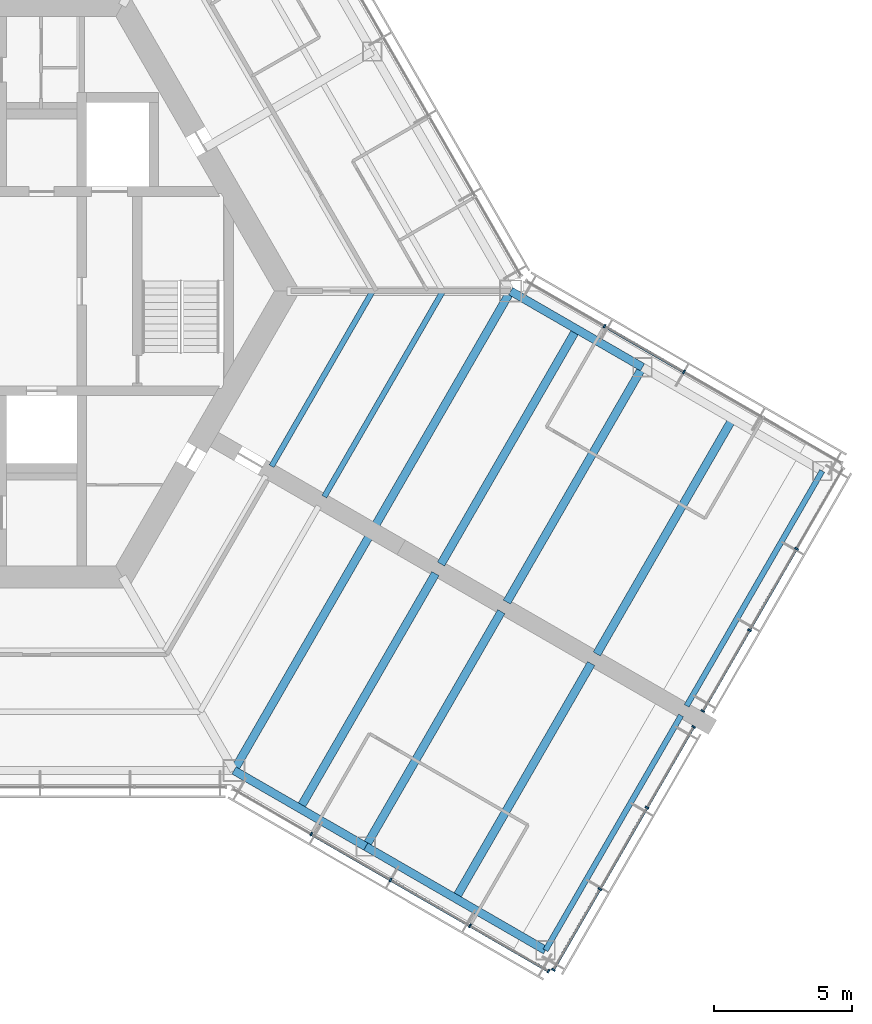
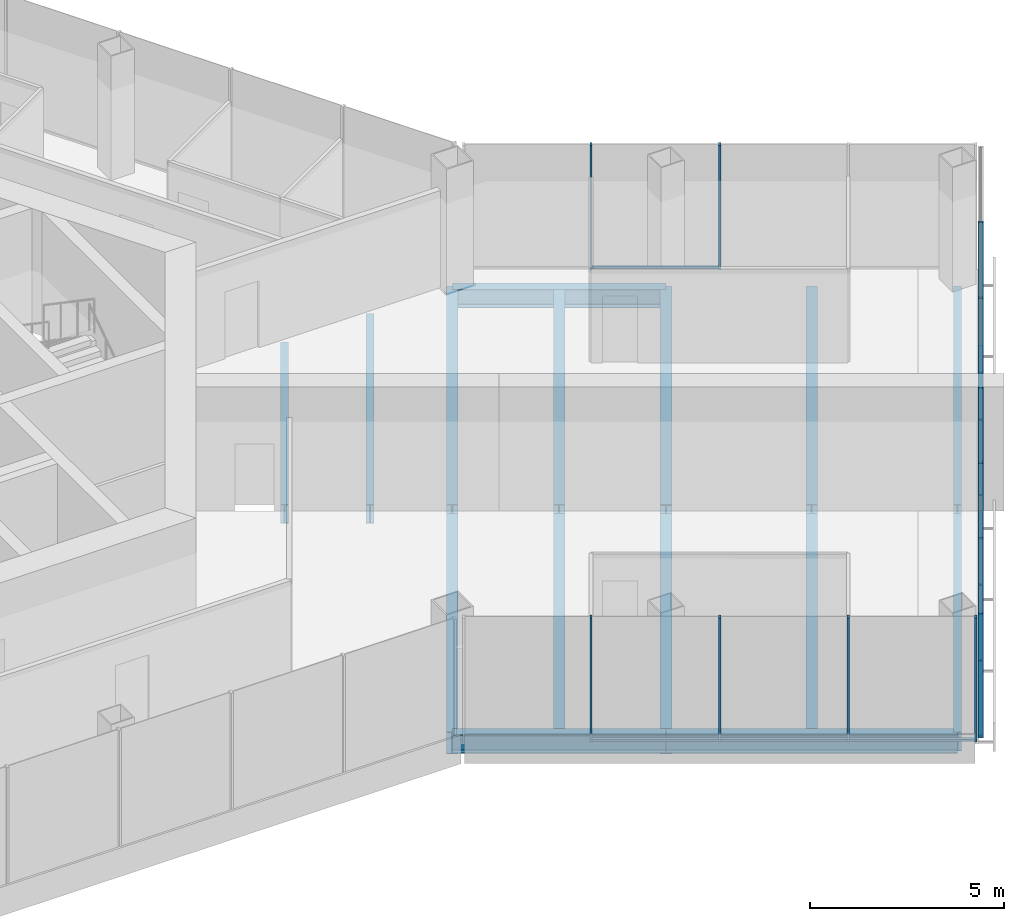
# One storey, part 4 of 14: 22 members, 15 beams, 4 elements without a shape of their own.
"""IFC4 building model written with IfcOpenShell, lengths in metres."""

from ifc_helpers import new_model, si_unit, direction, frame, origin, origin_2d, place, context, subcontext, project, spatial, rectangle, i_section, extrude, material, material_profile, profile_set, type_object, element, aggregate, save


model = new_model("IFC4")

# Units and contexts
model_context = context("Model", 3, precision=1e-05, world=origin(), true_north=direction((0.0, 1.0)))
body_context = subcontext(model_context, "Body", "Model", "MODEL_VIEW")
ifc_project = project(units=[si_unit("LENGTHUNIT", "METRE"), si_unit("AREAUNIT", "SQUARE_METRE"), si_unit("VOLUMEUNIT", "CUBIC_METRE"), si_unit("PLANEANGLEUNIT", "RADIAN"), si_unit("MASSUNIT", "GRAM", prefix="KILO")], contexts=[model_context])

# Site, building, storey
site_placement = place(None, origin())
site = spatial("IfcSite", under=ifc_project, at=site_placement, CompositionType="ELEMENT")
building_placement = place(site_placement, origin())
building = spatial("IfcBuilding", under=site, at=building_placement, Name="Kasaneha Research Tower", CompositionType="ELEMENT")
storey_placement = place(building_placement, frame((0.0, 0.0, 216.699951171875)))
storey = spatial("IfcBuildingStorey", under=building, at=storey_placement, Name="L54", CompositionType="ELEMENT", Elevation=216.699951171875)

# Beams
ifc_material_1 = material(Name="Steel SN490B", Category="steel")
ifc_material_profile_1 = material_profile(ifc_material_1, i_section(OverallWidth=0.199951171875, OverallDepth=0.60009765625, WebThickness=0.010986328125, FlangeThickness=0.01708984375, FilletRadius=0.012939453125, at=origin_2d()), Name="H-600x200x11x17")
ifc_profile_set_1 = profile_set([ifc_material_profile_1], Name="Steel SN490B")
beam_type_1 = type_object("IfcBeamType", Name="B1-3 secondary beam H-600x200x11x17", PredefinedType="JOIST", material=ifc_profile_set_1)
beam_1_placement = place(storey_placement, frame((15.010986328125, 0.0, -0.449951171875), z_axis=(-0.499974128195, -0.866040340363, 0.0), x_axis=(0.866040340363, -0.499974128195, 0.0)))
element("IfcBeam", 1, at=beam_1_placement, inside=storey, type_object=beam_type_1, Name="Secondary beam RS330R1 L54", PredefinedType="JOIST", context=body_context, shape_type="SweptSolid", body=[
    extrude(i_section(OverallWidth=0.199951171875, OverallDepth=0.60009765625, WebThickness=0.010986328125, FlangeThickness=0.01708984375, FilletRadius=0.012939453125, at=origin_2d()), origin(), (0.0, 0.0, 1.0), 7.3056640625),
])
beam_2_placement = place(storey_placement, frame((17.551513671875, 0.0, -0.449951171875), z_axis=(-0.500000102728, -0.866025344474, 0.0), x_axis=(0.866025344474, -0.500000102728, 0.0)))
element("IfcBeam", 2, at=beam_2_placement, inside=storey, type_object=beam_type_1, Name="Secondary beam RS330R2 L54", PredefinedType="JOIST", context=body_context, shape_type="SweptSolid", body=[
    extrude(i_section(OverallWidth=0.199951171875, OverallDepth=0.60009765625, WebThickness=0.010986328125, FlangeThickness=0.01708984375, FilletRadius=0.012939453125, at=origin_2d()), origin(), (0.0, 0.0, 1.0), 8.57568359375),
])
ifc_material_2 = material(Name="Steel SN490B", Category="steel")
ifc_material_profile_2 = material_profile(ifc_material_2, i_section(OverallWidth=0.300048828125, OverallDepth=0.58203125, WebThickness=0.011962890625, FlangeThickness=0.01708984375, FilletRadius=0.012939453125, at=origin_2d()), Name="H-582x300x12x17")
ifc_profile_set_2 = profile_set([ifc_material_profile_2], Name="Steel SN490B")
beam_type_2 = type_object("IfcBeamType", Name="B2-3 secondary beam H-582x300x12x17", PredefinedType="JOIST", material=ifc_profile_set_2)
for number, where, z_axis, x_axis, name in (
    (3, (12.381591796875, -18.695556640625, -0.44091796875), (0.49999201416, 0.866030014362, 0.0), (-0.866030014362, 0.49999201416, 0.0), "Secondary beam WBCP1 L54"),
    (4, (18.0107421875, -21.945556640625, -0.44091796875), (0.49999201416, 0.866030014362, 0.0), (-0.866030014362, 0.49999201416, 0.0), "Secondary beam WBCP2 L54"),
    (5, (22.381591796875, -1.375, -0.44091796875), (-0.49999201416, -0.866030014362, 0.0), (0.866030014362, -0.49999201416, 0.0), "Secondary beam WBCN1 L54"),
    (6, (28.0107421875, -4.625, -0.44091796875), (-0.49999201416, -0.866030014362, 0.0), (0.866030014362, -0.49999201416, 0.0), "Secondary beam WBCN2 L54"),
):
    element("IfcBeam", number, at=place(storey_placement, frame(where, z_axis=z_axis, x_axis=x_axis)), inside=storey, type_object=beam_type_2, Name=name, PredefinedType="JOIST", context=body_context, shape_type="SweptSolid", body=[
        extrude(i_section(OverallWidth=0.300048828125, OverallDepth=0.58203125, WebThickness=0.011962890625, FlangeThickness=0.01708984375, FilletRadius=0.012939453125, at=origin_2d()), origin(), (0.0, 0.0, 1.0), 9.800048828125),
    ])

# Curtain wall, members
ifc_material_3 = material(Name="Glass and aluminium", Category="aluminium")
curtain_wall_type = type_object("IfcCurtainWallType", Name="High-rise office curtain wall", PredefinedType="USERDEFINED", material=ifc_material_3)
curtain_wall_1_placement = place(storey_placement, origin())
curtain_wall_1 = element("IfcCurtainWall", 7, at=curtain_wall_1_placement, inside=storey, type_object=curtain_wall_type, Name="CW-O3 L54 run 06a", ObjectType="UNITISED CURTAIN WALL", PredefinedType="USERDEFINED")
ifc_material_4 = material(Name="Aluminium 6063-T6", Category="aluminium")
ifc_material_profile_3 = material_profile(ifc_material_4, rectangle(XDim=0.06005859375, YDim=0.139892578125, at=origin_2d()), Name="CW-O3 mullion 60x140")
ifc_profile_set_3 = profile_set([ifc_material_profile_3], Name="Aluminium 6063-T6")
member_type_1 = type_object("IfcMemberType", Name="CW-O3 mullion", PredefinedType="MULLION", material=ifc_profile_set_3)
member_1_placement = place(storey_placement, frame((12.792236328125, -19.62548828125, 0.0), z_axis=(0.0, 0.0, 1.0), x_axis=(0.866025411464, -0.499999986699, 0.0)))
member_1 = element("IfcMember", 8, at=member_1_placement, type_object=member_type_1, Name="CW-O3 mullion 2", PredefinedType="MULLION", context=body_context, shape_type="SweptSolid", body=[
    extrude(rectangle(XDim=0.06005859375, YDim=0.139892578125, at=origin_2d()), origin(), (0.0, 0.0, 1.0), 3.900146484375),
])
member_2_placement = place(storey_placement, frame((15.65869140625, -21.2802734375, 0.0), z_axis=(0.0, 0.0, 1.0), x_axis=(0.866025411464, -0.499999986699, 0.0)))
member_2 = element("IfcMember", 9, at=member_2_placement, type_object=member_type_1, Name="CW-O3 mullion 3", PredefinedType="MULLION", context=body_context, shape_type="SweptSolid", body=[
    extrude(rectangle(XDim=0.06005859375, YDim=0.139892578125, at=origin_2d()), origin(), (0.0, 0.0, 1.0), 3.900146484375),
])
member_3_placement = place(storey_placement, frame((18.52490234375, -22.935302734375, 0.0), z_axis=(0.0, 0.0, 1.0), x_axis=(0.866025411464, -0.499999986699, 0.0)))
member_3 = element("IfcMember", 10, at=member_3_placement, type_object=member_type_1, Name="CW-O3 mullion 4", PredefinedType="MULLION", context=body_context, shape_type="SweptSolid", body=[
    extrude(rectangle(XDim=0.06005859375, YDim=0.139892578125, at=origin_2d()), origin(), (0.0, 0.0, 1.0), 3.900146484375),
])
member_4_placement = place(storey_placement, frame((21.365478515625, -24.5751953125, 0.0), z_axis=(0.0, 0.0, 1.0), x_axis=(0.866025411464, -0.499999986699, 0.0)))
member_4 = element("IfcMember", 11, at=member_4_placement, type_object=member_type_1, Name="CW-O3 mullion 5", PredefinedType="MULLION", context=body_context, shape_type="SweptSolid", body=[
    extrude(rectangle(XDim=0.06005859375, YDim=0.139892578125, at=origin_2d()), origin(), (0.0, 0.0, 1.0), 3.900146484375),
])

curtain_wall_2_placement = place(storey_placement, origin())
curtain_wall_2 = element("IfcCurtainWall", 12, at=curtain_wall_2_placement, inside=storey, type_object=curtain_wall_type, Name="CW-O3 L54 run 07a", ObjectType="UNITISED CURTAIN WALL", PredefinedType="USERDEFINED")
member_5_placement = place(storey_placement, frame((21.54296875, -24.527587890625, 0.0), z_axis=(0.0, 0.0, 1.0), x_axis=(0.500000011442, 0.866025397178, 0.0)))
member_5 = element("IfcMember", 13, at=member_5_placement, type_object=member_type_1, Name="CW-O3 mullion 1", PredefinedType="MULLION", context=body_context, shape_type="SweptSolid", body=[
    extrude(rectangle(XDim=0.06005859375, YDim=0.139892578125, at=origin_2d()), origin(), (0.0, 0.0, 1.0), 3.900146484375),
])
member_6_placement = place(storey_placement, frame((23.22802734375, -21.609130859375, 0.0), z_axis=(0.0, 0.0, 1.0), x_axis=(0.500000011442, 0.866025397178, 0.0)))
member_6 = element("IfcMember", 14, at=member_6_placement, type_object=member_type_1, Name="CW-O3 mullion 2", PredefinedType="MULLION", context=body_context, shape_type="SweptSolid", body=[
    extrude(rectangle(XDim=0.06005859375, YDim=0.139892578125, at=origin_2d()), origin(), (0.0, 0.0, 1.0), 3.900146484375),
])
member_7_placement = place(storey_placement, frame((24.927978515625, -18.66455078125, 0.0), z_axis=(0.0, 0.0, 1.0), x_axis=(0.500000011442, 0.866025397178, 0.0)))
member_7 = element("IfcMember", 15, at=member_7_placement, type_object=member_type_1, Name="CW-O3 mullion 3", PredefinedType="MULLION", context=body_context, shape_type="SweptSolid", body=[
    extrude(rectangle(XDim=0.06005859375, YDim=0.139892578125, at=origin_2d()), origin(), (0.0, 0.0, 1.0), 3.900146484375),
])
member_8_placement = place(storey_placement, frame((26.613037109375, -15.74609375, 0.0), z_axis=(0.0, 0.0, 1.0), x_axis=(0.500000011442, 0.866025397178, 0.0)))
member_8 = element("IfcMember", 16, at=member_8_placement, type_object=member_type_1, Name="CW-O3 mullion 4", PredefinedType="MULLION", context=body_context, shape_type="SweptSolid", body=[
    extrude(rectangle(XDim=0.06005859375, YDim=0.139892578125, at=origin_2d()), origin(), (0.0, 0.0, 1.0), 3.900146484375),
])

curtain_wall_3_placement = place(storey_placement, origin())
curtain_wall_3 = element("IfcCurtainWall", 17, at=curtain_wall_3_placement, inside=storey, type_object=curtain_wall_type, Name="CW-O3 L54 run 08a", ObjectType="UNITISED CURTAIN WALL", PredefinedType="USERDEFINED")
member_9_placement = place(storey_placement, frame((26.94287109375, -15.174560546875, 0.0), z_axis=(0.0, 0.0, 1.0), x_axis=(0.500000011442, 0.866025397178, 0.0)))
member_9 = element("IfcMember", 18, at=member_9_placement, type_object=member_type_1, Name="CW-O3 mullion 1", PredefinedType="MULLION", context=body_context, shape_type="SweptSolid", body=[
    extrude(rectangle(XDim=0.06005859375, YDim=0.139892578125, at=origin_2d()), origin(), (0.0, 0.0, 1.0), 3.900146484375),
])
member_10_placement = place(storey_placement, frame((28.6279296875, -12.255859375, 0.0), z_axis=(0.0, 0.0, 1.0), x_axis=(0.500000011442, 0.866025397178, 0.0)))
member_10 = element("IfcMember", 19, at=member_10_placement, type_object=member_type_1, Name="CW-O3 mullion 2", PredefinedType="MULLION", context=body_context, shape_type="SweptSolid", body=[
    extrude(rectangle(XDim=0.06005859375, YDim=0.139892578125, at=origin_2d()), origin(), (0.0, 0.0, 1.0), 3.900146484375),
])
member_11_placement = place(storey_placement, frame((30.327880859375, -9.3115234375, 0.0), z_axis=(0.0, 0.0, 1.0), x_axis=(0.500000011442, 0.866025397178, 0.0)))
member_11 = element("IfcMember", 20, at=member_11_placement, type_object=member_type_1, Name="CW-O3 mullion 3", PredefinedType="MULLION", context=body_context, shape_type="SweptSolid", body=[
    extrude(rectangle(XDim=0.06005859375, YDim=0.139892578125, at=origin_2d()), origin(), (0.0, 0.0, 1.0), 3.900146484375),
])

curtain_wall_4_placement = place(storey_placement, origin())
curtain_wall_4 = element("IfcCurtainWall", 21, at=curtain_wall_4_placement, inside=storey, type_object=curtain_wall_type, Name="CW-O3 L54 run 09a", ObjectType="UNITISED CURTAIN WALL", PredefinedType="USERDEFINED")
member_12_placement = place(storey_placement, frame((26.258544921875, -2.920654296875, 0.0), z_axis=(0.0, 0.0, 1.0), x_axis=(-0.866025411464, 0.499999986699, 0.0)))
member_12 = element("IfcMember", 22, at=member_12_placement, type_object=member_type_1, Name="CW-O3 mullion 3", PredefinedType="MULLION", context=body_context, shape_type="SweptSolid", body=[
    extrude(rectangle(XDim=0.06005859375, YDim=0.139892578125, at=origin_2d()), origin(), (0.0, 0.0, 1.0), 3.900146484375),
])
member_13_placement = place(storey_placement, frame((23.39208984375, -1.265625, 0.0), z_axis=(0.0, 0.0, 1.0), x_axis=(-0.866025411464, 0.499999986699, 0.0)))
member_13 = element("IfcMember", 23, at=member_13_placement, type_object=member_type_1, Name="CW-O3 mullion 4", PredefinedType="MULLION", context=body_context, shape_type="SweptSolid", body=[
    extrude(rectangle(XDim=0.06005859375, YDim=0.139892578125, at=origin_2d()), origin(), (0.0, 0.0, 1.0), 3.900146484375),
])

# Member
ifc_material_5 = material(Name="Aluminium 6063-T6", Category="aluminium")
ifc_material_profile_4 = material_profile(ifc_material_5, rectangle(XDim=0.10009765625, YDim=0.06005859375, at=origin_2d()), Name="CW-O3 transom 100x60")
ifc_profile_set_4 = profile_set([ifc_material_profile_4], Name="Aluminium 6063-T6")
member_type_2 = type_object("IfcMemberType", Name="CW-O3 transom", PredefinedType="USERDEFINED", material=ifc_profile_set_4)
member_14_placement = place(storey_placement, frame((12.818115234375, -19.640380859375, 0.030029296875), z_axis=(0.866015446554, -0.500017246033, 0.0), x_axis=(0.500017246033, 0.866015446554, 0.0)))
member_14 = element("IfcMember", 24, at=member_14_placement, type_object=member_type_2, Name="CW-O3 transom 2", ObjectType="TRANSOM", PredefinedType="USERDEFINED", context=body_context, shape_type="SweptSolid", body=[
    extrude(rectangle(XDim=0.10009765625, YDim=0.06005859375, at=origin_2d()), origin(), (0.0, 0.0, 1.0), 3.25),
])

member_15_placement = place(storey_placement, frame((15.6845703125, -21.29541015625, 0.030029296875), z_axis=(0.86604797581, -0.499960902066, 0.0), x_axis=(0.499960902066, 0.86604797581, 0.0)))
member_15 = element("IfcMember", 25, at=member_15_placement, type_object=member_type_2, Name="CW-O3 transom 3", ObjectType="TRANSOM", PredefinedType="USERDEFINED", context=body_context, shape_type="SweptSolid", body=[
    extrude(rectangle(XDim=0.10009765625, YDim=0.06005859375, at=origin_2d()), origin(), (0.0, 0.0, 1.0), 3.249755859375),
])

member_16_placement = place(storey_placement, frame((18.551025390625, -22.9501953125, 0.030029296875), z_axis=(0.866022692473, -0.500004696101, 0.0), x_axis=(0.500004696101, 0.866022692473, 0.0)))
member_16 = element("IfcMember", 26, at=member_16_placement, type_object=member_type_2, Name="CW-O3 transom 4", ObjectType="TRANSOM", PredefinedType="USERDEFINED", context=body_context, shape_type="SweptSolid", body=[
    extrude(rectangle(XDim=0.10009765625, YDim=0.06005859375, at=origin_2d()), origin(), (0.0, 0.0, 1.0), 3.2197265625),
])

aggregate(curtain_wall_1, [member_1, member_2, member_3, member_4, member_14, member_15, member_16])

member_17_placement = place(storey_placement, frame((21.557861328125, -24.50146484375, 0.030029296875), z_axis=(0.500018282537, 0.866014848099, 0.0), x_axis=(-0.866014848099, 0.500018282537, 0.0)))
member_17 = element("IfcMember", 27, at=member_17_placement, type_object=member_type_2, Name="CW-O3 transom 1", ObjectType="TRANSOM", PredefinedType="USERDEFINED", context=body_context, shape_type="SweptSolid", body=[
    extrude(rectangle(XDim=0.10009765625, YDim=0.06005859375, at=origin_2d()), origin(), (0.0, 0.0, 1.0), 3.31005859375),
])

member_18_placement = place(storey_placement, frame((23.242919921875, -21.5830078125, 0.030029296875), z_axis=(0.499975549825, 0.866039519639, 0.0), x_axis=(-0.866039519639, 0.499975549825, 0.0)))
member_18 = element("IfcMember", 28, at=member_18_placement, type_object=member_type_2, Name="CW-O3 transom 2", ObjectType="TRANSOM", PredefinedType="USERDEFINED", context=body_context, shape_type="SweptSolid", body=[
    extrude(rectangle(XDim=0.10009765625, YDim=0.06005859375, at=origin_2d()), origin(), (0.0, 0.0, 1.0), 3.340087890625),
])

member_19_placement = place(storey_placement, frame((24.94287109375, -18.638671875, 0.030029296875), z_axis=(0.49998634449, 0.866033287653, 0.0), x_axis=(-0.866033287653, 0.49998634449, 0.0)))
member_19 = element("IfcMember", 29, at=member_19_placement, type_object=member_type_2, Name="CW-O3 transom 3", ObjectType="TRANSOM", PredefinedType="USERDEFINED", context=body_context, shape_type="SweptSolid", body=[
    extrude(rectangle(XDim=0.10009765625, YDim=0.06005859375, at=origin_2d()), origin(), (0.0, 0.0, 1.0), 3.31005859375),
])

aggregate(curtain_wall_2, [member_5, member_6, member_7, member_8, member_17, member_18, member_19])

member_20_placement = place(storey_placement, frame((26.9580078125, -15.1484375, 0.030029296875), z_axis=(0.500018282537, 0.866014848099, 0.0), x_axis=(-0.866014848099, 0.500018282537, 0.0)))
member_20 = element("IfcMember", 30, at=member_20_placement, type_object=member_type_2, Name="CW-O3 transom 1", ObjectType="TRANSOM", PredefinedType="USERDEFINED", context=body_context, shape_type="SweptSolid", body=[
    extrude(rectangle(XDim=0.10009765625, YDim=0.06005859375, at=origin_2d()), origin(), (0.0, 0.0, 1.0), 3.31005859375),
])

member_21_placement = place(storey_placement, frame((28.64306640625, -12.22998046875, 0.030029296875), z_axis=(0.499975549825, 0.866039519639, 0.0), x_axis=(-0.866039519639, 0.499975549825, 0.0)))
member_21 = element("IfcMember", 31, at=member_21_placement, type_object=member_type_2, Name="CW-O3 transom 2", ObjectType="TRANSOM", PredefinedType="USERDEFINED", context=body_context, shape_type="SweptSolid", body=[
    extrude(rectangle(XDim=0.10009765625, YDim=0.06005859375, at=origin_2d()), origin(), (0.0, 0.0, 1.0), 3.340087890625),
])

aggregate(curtain_wall_3, [member_9, member_10, member_11, member_20, member_21])

member_22_placement = place(storey_placement, frame((26.232666015625, -2.905517578125, 0.030029296875), z_axis=(-0.86604797581, 0.499960902066, 0.0), x_axis=(-0.499960902066, -0.86604797581, 0.0)))
member_22 = element("IfcMember", 32, at=member_22_placement, type_object=member_type_2, Name="CW-O3 transom 3", ObjectType="TRANSOM", PredefinedType="USERDEFINED", context=body_context, shape_type="SweptSolid", body=[
    extrude(rectangle(XDim=0.10009765625, YDim=0.06005859375, at=origin_2d()), origin(), (0.0, 0.0, 1.0), 3.249755859375),
])

aggregate(curtain_wall_4, [member_12, member_13, member_22])

# Beams
ifc_material_6 = material(Name="Steel SN490B", Category="steel")
ifc_material_profile_5 = material_profile(ifc_material_6, i_section(OverallWidth=0.300048828125, OverallDepth=0.69189453125, WebThickness=0.012939453125, FlangeThickness=0.02001953125, FilletRadius=0.01806640625, at=origin_2d()), Name="H-692x300x13x20")
ifc_profile_set_5 = profile_set([ifc_material_profile_5], Name="Steel SN490B")
beam_type_3 = type_object("IfcBeamType", Name="G3-3 plate edge girder H-692x300x13x20", PredefinedType="BEAM", material=ifc_profile_set_5)
for number, where, z_axis, x_axis, name in (
    (33, (10.0, -17.320556640625, -0.495849609375), (0.49999201416, 0.866030014362, 0.0), (-0.866030014362, 0.49999201416, 0.0), "Plate edge girder PECP L54"),
    (34, (20.0, 0.0, -0.495849609375), (-0.49999201416, -0.866030014362, 0.0), (0.866030014362, -0.49999201416, 0.0), "Plate edge girder PECN L54"),
):
    element("IfcBeam", number, at=place(storey_placement, frame(where, z_axis=z_axis, x_axis=x_axis)), inside=storey, type_object=beam_type_3, Name=name, PredefinedType="BEAM", context=body_context, shape_type="SweptSolid", body=[
        extrude(i_section(OverallWidth=0.300048828125, OverallDepth=0.69189453125, WebThickness=0.012939453125, FlangeThickness=0.02001953125, FilletRadius=0.01806640625, at=origin_2d()), origin(), (0.0, 0.0, 1.0), 9.800048828125),
    ])
ifc_material_7 = material(Name="Steel SN490B", Category="steel")
ifc_material_profile_6 = material_profile(ifc_material_7, i_section(OverallWidth=0.300048828125, OverallDepth=0.699951171875, WebThickness=0.012939453125, FlangeThickness=0.02392578125, FilletRadius=0.01806640625, at=origin_2d()), Name="H-700x300x13x24")
ifc_profile_set_6 = profile_set([ifc_material_profile_6], Name="Steel SN490B")
beam_type_4 = type_object("IfcBeamType", Name="G4-3 wing girder H-700x300x13x24", PredefinedType="BEAM", material=ifc_profile_set_6)
for number, where, z_axis, x_axis, name in (
    (35, (14.76318359375, -20.070556640625, -0.5), (0.49999201416, 0.866030014362, 0.0), (-0.866030014362, 0.49999201416, 0.0), "Wing girder WGCP L54"),
    (36, (24.76318359375, -2.75, -0.5), (-0.500010698315, -0.866019227021, 0.0), (0.866019227021, -0.500010698315, 0.0), "Wing girder WGCN L54"),
):
    element("IfcBeam", number, at=place(storey_placement, frame(where, z_axis=z_axis, x_axis=x_axis)), inside=storey, type_object=beam_type_4, Name=name, PredefinedType="BEAM", context=body_context, shape_type="SweptSolid", body=[
        extrude(i_section(OverallWidth=0.300048828125, OverallDepth=0.699951171875, WebThickness=0.012939453125, FlangeThickness=0.02392578125, FilletRadius=0.01806640625, at=origin_2d()), origin(), (0.0, 0.0, 1.0), 9.800048828125),
    ])
ifc_material_8 = material(Name="Steel SN490B", Category="steel")
ifc_material_profile_7 = material_profile(ifc_material_8, i_section(OverallWidth=0.300048828125, OverallDepth=0.58203125, WebThickness=0.011962890625, FlangeThickness=0.01708984375, FilletRadius=0.012939453125, at=origin_2d()), Name="H-582x300x12x17")
ifc_profile_set_7 = profile_set([ifc_material_profile_7], Name="Steel SN490B")
beam_type_5 = type_object("IfcBeamType", Name="SB2-3 spandrel beam H-582x300x12x17", PredefinedType="SPANDREL", material=ifc_profile_set_7)
beam_3_placement = place(storey_placement, frame((10.0, -17.320556640625, -0.44091796875), z_axis=(0.866027397988, -0.499996545922, 0.0), x_axis=(0.499996545922, 0.866027397988, 0.0)))
element("IfcBeam", 37, at=beam_3_placement, inside=storey, type_object=beam_type_5, Name="Spandrel beam WSCP1 L54", PredefinedType="SPANDREL", context=body_context, shape_type="SweptSolid", body=[
    extrude(i_section(OverallWidth=0.300048828125, OverallDepth=0.58203125, WebThickness=0.011962890625, FlangeThickness=0.01708984375, FilletRadius=0.012939453125, at=origin_2d()), origin(), (0.0, 0.0, 1.0), 5.5),
])
beam_4_placement = place(storey_placement, frame((14.76318359375, -20.070556640625, -0.44091796875), z_axis=(0.866022959057, -0.500004234368, 0.0), x_axis=(0.500004234368, 0.866022959057, 0.0)))
element("IfcBeam", 38, at=beam_4_placement, inside=storey, type_object=beam_type_5, Name="Spandrel beam WSCP2 L54", PredefinedType="SPANDREL", context=body_context, shape_type="SweptSolid", body=[
    extrude(i_section(OverallWidth=0.300048828125, OverallDepth=0.58203125, WebThickness=0.011962890625, FlangeThickness=0.01708984375, FilletRadius=0.012939453125, at=origin_2d()), origin(), (0.0, 0.0, 1.0), 7.5),
])
beam_5_placement = place(storey_placement, frame((20.0, 0.0, -0.44091796875), z_axis=(0.866027397988, -0.499996545922, 0.0), x_axis=(0.499996545922, 0.866027397988, 0.0)))
element("IfcBeam", 39, at=beam_5_placement, inside=storey, type_object=beam_type_5, Name="Spandrel beam WSCN1 L54", PredefinedType="SPANDREL", context=body_context, shape_type="SweptSolid", body=[
    extrude(i_section(OverallWidth=0.300048828125, OverallDepth=0.58203125, WebThickness=0.011962890625, FlangeThickness=0.01708984375, FilletRadius=0.012939453125, at=origin_2d()), origin(), (0.0, 0.0, 1.0), 5.5),
])
ifc_material_9 = material(Name="Steel SN490B", Category="steel")
ifc_material_profile_8 = material_profile(ifc_material_9, i_section(OverallWidth=0.199951171875, OverallDepth=0.60009765625, WebThickness=0.010986328125, FlangeThickness=0.01708984375, FilletRadius=0.012939453125, at=origin_2d()), Name="H-600x200x11x17")
ifc_profile_set_8 = profile_set([ifc_material_profile_8], Name="Steel SN490B")
beam_type_6 = type_object("IfcBeamType", Name="SB3-3 spandrel beam H-600x200x11x17", PredefinedType="SPANDREL", material=ifc_profile_set_8)
for number, where, z_axis, x_axis, name in (
    (40, (21.25830078125, -23.820556640625, -0.449951171875), (0.500010698315, 0.866019227021, 0.0), (-0.866019227021, 0.500010698315, 0.0), "Spandrel beam WTCP L54"),
    (41, (31.25830078125, -6.5, -0.449951171875), (-0.49999201416, -0.866030014362, 0.0), (0.866030014362, -0.49999201416, 0.0), "Spandrel beam WTCN L54"),
):
    element("IfcBeam", number, at=place(storey_placement, frame(where, z_axis=z_axis, x_axis=x_axis)), inside=storey, type_object=beam_type_6, Name=name, PredefinedType="SPANDREL", context=body_context, shape_type="SweptSolid", body=[
        extrude(i_section(OverallWidth=0.199951171875, OverallDepth=0.60009765625, WebThickness=0.010986328125, FlangeThickness=0.01708984375, FilletRadius=0.012939453125, at=origin_2d()), origin(), (0.0, 0.0, 1.0), 9.800048828125),
    ])

save(model, "model.ifc")
